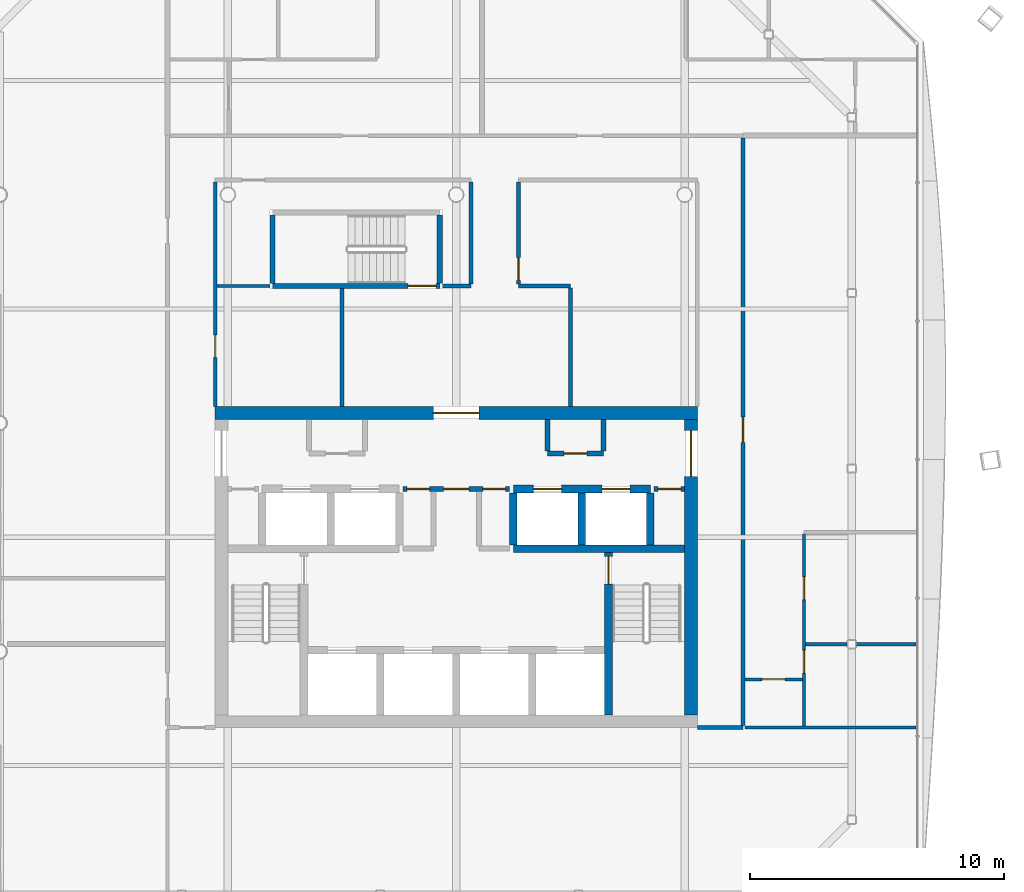
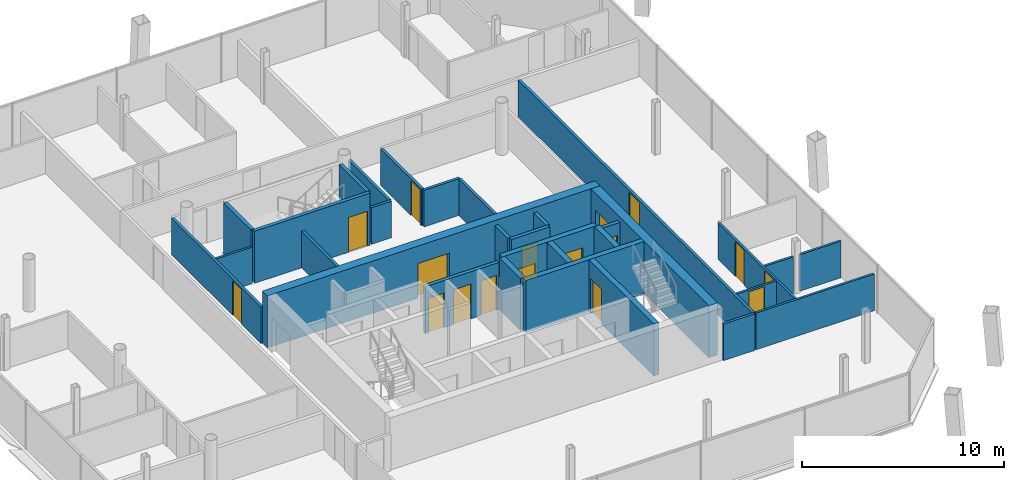
# One storey, part 15 of 20: 31 walls, 17 doors, 17 openings.
"""IFC4 building model written with IfcOpenShell, lengths in metres."""

from ifc_helpers import new_model, si_unit, direction, frame, frame_2d, origin, place, context, subcontext, project, spatial, rectangle, extrude, material, layer, layer_set, type_object, element, fill, save


model = new_model("IFC4")

# Units and contexts
model_context = context("Model", 3, precision=1e-05, world=origin(), true_north=direction((0.0, 1.0)))
body_context = subcontext(model_context, "Body", "Model", "MODEL_VIEW")
ifc_project = project(units=[si_unit("LENGTHUNIT", "METRE"), si_unit("AREAUNIT", "SQUARE_METRE"), si_unit("VOLUMEUNIT", "CUBIC_METRE"), si_unit("PLANEANGLEUNIT", "RADIAN"), si_unit("MASSUNIT", "GRAM", prefix="KILO")], contexts=[model_context])

# Site, building, storey
site_placement = place(None, origin())
site = spatial("IfcSite", under=ifc_project, at=site_placement, CompositionType="ELEMENT")
building_placement = place(site_placement, origin())
building = spatial("IfcBuilding", under=site, at=building_placement, Name="Tskaro Facet Tower", CompositionType="ELEMENT")
storey_placement = place(building_placement, frame((0.0, 0.0, 175.35009765625)))
storey = spatial("IfcBuildingStorey", under=building, at=storey_placement, Name="L43", CompositionType="ELEMENT", Elevation=175.35009765625)

# Wall
ifc_material_1 = material(Name="Concrete C60/75", Category="concrete")
ifc_layer_1 = layer(ifc_material_1, 0.300048828125, Name="Concrete C60/75")
ifc_layer_set_1 = layer_set([ifc_layer_1], Name="Concrete C60/75")
wall_type_1 = type_object("IfcWallType", Name="CORE-SHAFT", PredefinedType="SHEAR", material=ifc_layer_set_1)
wall_1_placement = place(storey_placement, frame((2.25, -4.949951171875, 0.0), z_axis=(0.0, 0.0, 1.0), x_axis=(1.0, 0.0, 0.0)))
element("IfcWall", 1, at=wall_1_placement, inside=storey, type_object=wall_type_1, Name="Shaft wall W019", PredefinedType="SHEAR", context=body_context, shape_type="SweptSolid", body=[
    extrude(rectangle(XDim=6.75, YDim=0.300048828125, at=frame_2d((3.375, 0.0))), origin(), (0.0, 0.0, 1.0), 3.14990234375),
])

# Wall, openings, doors
wall_2_placement = place(storey_placement, frame((2.25, -2.60009765625, 0.0), z_axis=(0.0, 0.0, 1.0), x_axis=(1.0, 0.0, 0.0)))
wall_2 = element("IfcWall", 2, at=wall_2_placement, inside=storey, type_object=wall_type_1, Name="Shaft wall W025", PredefinedType="SHEAR", context=body_context, shape_type="SweptSolid", body=[
    extrude(rectangle(XDim=5.39990234375, YDim=0.300048828125, at=frame_2d((2.699951171875, 0.0))), origin(), (0.0, 0.0, 1.0), 3.14990234375),
])
opening_1_placement = place(wall_2_placement, frame((0.800048828125, 0.0, 0.0)))
opening_1 = element("IfcOpeningElement", 3, at=opening_1_placement, cuts=wall_2, Name="Opening LD-HB3", PredefinedType="OPENING", context=body_context, shape_type="SweptSolid", body=[
    extrude(rectangle(XDim=1.10009765625, YDim=2.10009765625, at=frame_2d((0.550048828125, 1.050048828125))), frame((0.0, 0.159912109375, 0.0), z_axis=(0.0, -1.0, 0.0), x_axis=(1.0, 0.0, 0.0)), (0.0, 0.0, 1.0), 0.320068359375),
])
opening_2_placement = place(wall_2_placement, frame((3.5, 0.0, 0.0)))
opening_2 = element("IfcOpeningElement", 4, at=opening_2_placement, cuts=wall_2, Name="Opening LD-HB4", PredefinedType="OPENING", context=body_context, shape_type="SweptSolid", body=[
    extrude(rectangle(XDim=1.10009765625, YDim=2.10009765625, at=frame_2d((0.550048828125, 1.050048828125))), frame((0.0, 0.159912109375, 0.0), z_axis=(0.0, -1.0, 0.0), x_axis=(1.0, 0.0, 0.0)), (0.0, 0.0, 1.0), 0.320068359375),
])
ifc_material_2 = material(Name="Stainless steel", Category="steel")
door_type_1 = type_object("IfcDoorType", Name="D-LANDING", OperationType="NOTDEFINED", PredefinedType="DOOR", material=ifc_material_2)
door_1_placement = place(opening_1_placement, origin())
door_1 = element("IfcDoor", 5, at=door_1_placement, inside=storey, type_object=door_type_1, Name="Landing door HB3", OperationType="DOUBLE_DOOR_SLIDING", OverallHeight=2.10009765625, OverallWidth=1.10009765625, PredefinedType="DOOR", context=body_context, shape_type="SweptSolid", body=[
    extrude(rectangle(XDim=1.10009765625, YDim=2.10009765625, at=frame_2d((0.550048828125, 1.050048828125))), frame((0.0, 0.02490234375, 0.0), z_axis=(0.0, -1.0, 0.0), x_axis=(1.0, 0.0, 0.0)), (0.0, 0.0, 1.0), 0.050048828125),
])
fill(opening_1, door_1)
door_2_placement = place(opening_2_placement, origin())
door_2 = element("IfcDoor", 6, at=door_2_placement, inside=storey, type_object=door_type_1, Name="Landing door HB4", OperationType="DOUBLE_DOOR_SLIDING", OverallHeight=2.10009765625, OverallWidth=1.10009765625, PredefinedType="DOOR", context=body_context, shape_type="SweptSolid", body=[
    extrude(rectangle(XDim=1.10009765625, YDim=2.10009765625, at=frame_2d((0.550048828125, 1.050048828125))), frame((0.0, 0.02490234375, 0.0), z_axis=(0.0, -1.0, 0.0), x_axis=(1.0, 0.0, 0.0)), (0.0, 0.0, 1.0), 0.050048828125),
])
fill(opening_2, door_2)

# Walls
for number, where, z_axis, x_axis, name in (
    (7, (2.25, -4.800048828125, 0.0), (0.0, 0.0, 1.0), (0.0, 1.0, 0.0), "Shaft wall W074"),
    (8, (4.949951171875, -4.800048828125, 0.0), (0.0, 0.0, 1.0), (0.0, 1.0, 0.0), "Shaft wall W079"),
):
    element("IfcWall", number, at=place(storey_placement, frame(where, z_axis=z_axis, x_axis=x_axis)), inside=storey, type_object=wall_type_1, Name=name, PredefinedType="SHEAR", context=body_context, shape_type="SweptSolid", body=[
        extrude(rectangle(XDim=2.050048828125, YDim=0.300048828125, at=frame_2d((1.02490234375, 0.0))), origin(), (0.0, 0.0, 1.0), 3.14990234375),
    ])

# Wall, opening, door
wall_3_placement = place(storey_placement, frame((6.0, -5.10009765625, 0.0), z_axis=(0.0, 0.0, 1.0), x_axis=(0.0, -1.0, 0.0)))
wall_3 = element("IfcWall", 9, at=wall_3_placement, inside=storey, type_object=wall_type_1, Name="Shaft wall W081", PredefinedType="SHEAR", context=body_context, shape_type="SweptSolid", body=[
    extrude(rectangle(XDim=6.39990234375, YDim=0.300048828125, at=frame_2d((3.199951171875, 0.0))), origin(), (0.0, 0.0, 1.0), 3.14990234375),
])
opening_3_placement = place(wall_3_placement, frame((0.14990234375, 0.0, 0.0)))
opening_3 = element("IfcOpeningElement", 10, at=opening_3_placement, cuts=wall_3, Name="Opening ST-2-D1", PredefinedType="OPENING", context=body_context, shape_type="SweptSolid", body=[
    extrude(rectangle(XDim=1.10009765625, YDim=2.10009765625, at=frame_2d((0.550048828125, 1.050048828125))), frame((0.0, 0.159912109375, 0.0), z_axis=(0.0, -1.0, 0.0), x_axis=(1.0, 0.0, 0.0)), (0.0, 0.0, 1.0), 0.320068359375),
])
ifc_material_3 = material(Name="Steel", Category="steel")
door_type_2 = type_object("IfcDoorType", Name="D-STAIR", OperationType="NOTDEFINED", PredefinedType="DOOR", material=ifc_material_3)
door_3_placement = place(opening_3_placement, origin())
door_3 = element("IfcDoor", 11, at=door_3_placement, inside=storey, type_object=door_type_2, Name="Stair door 2", OperationType="SINGLE_SWING_RIGHT", OverallHeight=2.10009765625, OverallWidth=1.10009765625, PredefinedType="DOOR", context=body_context, shape_type="SweptSolid", body=[
    extrude(rectangle(XDim=1.10009765625, YDim=2.10009765625, at=frame_2d((0.550048828125, 1.050048828125))), frame((0.0, 0.02490234375, 0.0), z_axis=(0.0, -1.0, 0.0), x_axis=(1.0, 0.0, 0.0)), (0.0, 0.0, 1.0), 0.050048828125),
])
fill(opening_3, door_3)

# Wall
wall_4_placement = place(storey_placement, frame((7.64990234375, -4.800048828125, 0.0), z_axis=(0.0, 0.0, 1.0), x_axis=(0.0, 1.0, 0.0)))
element("IfcWall", 12, at=wall_4_placement, inside=storey, type_object=wall_type_1, Name="Shaft wall W082", PredefinedType="SHEAR", context=body_context, shape_type="SweptSolid", body=[
    extrude(rectangle(XDim=2.050048828125, YDim=0.300048828125, at=frame_2d((1.02490234375, 0.0))), origin(), (0.0, 0.0, 1.0), 3.14990234375),
])

# Wall, openings, doors
ifc_material_4 = material(Name="Concrete C20/25", Category="concrete")
ifc_layer_2 = layer(ifc_material_4, 0.199951171875, Name="Concrete C20/25")
ifc_layer_set_2 = layer_set([ifc_layer_2], Name="Concrete C20/25")
wall_type_2 = type_object("IfcWallType", Name="CORE-WALL", PredefinedType="SOLIDWALL", material=ifc_layer_set_2)
wall_5_placement = place(storey_placement, frame((2.10009765625, -2.60009765625, 0.0), z_axis=(0.0, 0.0, 1.0), x_axis=(-1.0, 0.0, 0.0)))
wall_5 = element("IfcWall", 13, at=wall_5_placement, inside=storey, type_object=wall_type_2, Name="Core room wall W024", PredefinedType="SOLIDWALL", context=body_context, shape_type="SweptSolid", body=[
    extrude(rectangle(XDim=4.2001953125, YDim=0.199951171875, at=frame_2d((2.10009765625, 0.0))), origin(), (0.0, 0.0, 1.0), 2.849853515625),
])
opening_4_placement = place(wall_5_placement, frame((1.60009765625, 0.0, 0.0)))
opening_4 = element("IfcOpeningElement", 14, at=opening_4_placement, cuts=wall_5, Name="Opening FL-D1", PredefinedType="OPENING", context=body_context, shape_type="SweptSolid", body=[
    extrude(rectangle(XDim=1.0, YDim=2.10009765625, at=frame_2d((0.5, 1.050048828125))), frame((0.0, 0.10986328125, 0.0), z_axis=(0.0, -1.0, 0.0), x_axis=(1.0, 0.0, 0.0)), (0.0, 0.0, 1.0), 0.219970703125),
])
opening_5_placement = place(wall_5_placement, frame((3.14990234375, 0.0, 0.0)))
opening_5 = element("IfcOpeningElement", 15, at=opening_5_placement, cuts=wall_5, Name="Opening T12-D13", PredefinedType="OPENING", context=body_context, shape_type="SweptSolid", body=[
    extrude(rectangle(XDim=0.89990234375, YDim=2.10009765625, at=frame_2d((0.449951171875, 1.050048828125))), frame((0.0, 0.10986328125, 0.0), z_axis=(0.0, -1.0, 0.0), x_axis=(1.0, 0.0, 0.0)), (0.0, 0.0, 1.0), 0.219970703125),
])
opening_6_placement = place(wall_5_placement, frame((0.14990234375, 0.0, 0.0)))
opening_6 = element("IfcOpeningElement", 16, at=opening_6_placement, cuts=wall_5, Name="Opening T12-D14", PredefinedType="OPENING", context=body_context, shape_type="SweptSolid", body=[
    extrude(rectangle(XDim=0.89990234375, YDim=2.10009765625, at=frame_2d((0.449951171875, 1.050048828125))), frame((0.0, 0.10986328125, 0.0), z_axis=(0.0, -1.0, 0.0), x_axis=(1.0, 0.0, 0.0)), (0.0, 0.0, 1.0), 0.219970703125),
])
door_type_3 = type_object("IfcDoorType", Name="D-LOBBY", OperationType="NOTDEFINED", PredefinedType="DOOR", material=ifc_material_3)
door_4_placement = place(opening_4_placement, origin())
door_4 = element("IfcDoor", 17, at=door_4_placement, inside=storey, type_object=door_type_3, Name="Lobby door FL", OperationType="SINGLE_SWING_RIGHT", OverallHeight=2.10009765625, OverallWidth=1.0, PredefinedType="DOOR", context=body_context, shape_type="SweptSolid", body=[
    extrude(rectangle(XDim=1.0, YDim=2.10009765625, at=frame_2d((0.5, 1.050048828125))), frame((0.0, 0.02490234375, 0.0), z_axis=(0.0, -1.0, 0.0), x_axis=(1.0, 0.0, 0.0)), (0.0, 0.0, 1.0), 0.050048828125),
])
fill(opening_4, door_4)
ifc_material_5 = material(Name="Timber", Category="wood")
door_type_4 = type_object("IfcDoorType", Name="D-ROOM", OperationType="NOTDEFINED", PredefinedType="DOOR", material=ifc_material_5)
door_5_placement = place(opening_5_placement, origin())
door_5 = element("IfcDoor", 18, at=door_5_placement, inside=storey, type_object=door_type_4, Name="Door T12-D13", OperationType="SINGLE_SWING_RIGHT", OverallHeight=2.10009765625, OverallWidth=0.89990234375, PredefinedType="DOOR", context=body_context, shape_type="SweptSolid", body=[
    extrude(rectangle(XDim=0.89990234375, YDim=2.10009765625, at=frame_2d((0.449951171875, 1.050048828125))), frame((0.0, 0.02490234375, 0.0), z_axis=(0.0, -1.0, 0.0), x_axis=(1.0, 0.0, 0.0)), (0.0, 0.0, 1.0), 0.050048828125),
])
fill(opening_5, door_5)
door_6_placement = place(opening_6_placement, origin())
door_6 = element("IfcDoor", 19, at=door_6_placement, inside=storey, type_object=door_type_4, Name="Door T12-D14", OperationType="SINGLE_SWING_RIGHT", OverallHeight=2.10009765625, OverallWidth=0.89990234375, PredefinedType="DOOR", context=body_context, shape_type="SweptSolid", body=[
    extrude(rectangle(XDim=0.89990234375, YDim=2.10009765625, at=frame_2d((0.449951171875, 1.050048828125))), frame((0.0, 0.02490234375, 0.0), z_axis=(0.0, -1.0, 0.0), x_axis=(1.0, 0.0, 0.0)), (0.0, 0.0, 1.0), 0.050048828125),
])
fill(opening_6, door_6)

# Wall, opening, door
wall_6_placement = place(storey_placement, frame((9.0, -2.60009765625, 0.0), z_axis=(0.0, 0.0, 1.0), x_axis=(-1.0, 0.0, 0.0)))
wall_6 = element("IfcWall", 20, at=wall_6_placement, inside=storey, type_object=wall_type_2, Name="Core room wall W026", PredefinedType="SOLIDWALL", context=body_context, shape_type="SweptSolid", body=[
    extrude(rectangle(XDim=1.199951171875, YDim=0.199951171875, at=frame_2d((0.60009765625, 0.0))), origin(), (0.0, 0.0, 1.0), 2.849853515625),
])
opening_7_placement = place(wall_6_placement, frame((0.14990234375, 0.0, 0.0)))
opening_7 = element("IfcOpeningElement", 21, at=opening_7_placement, cuts=wall_6, Name="Opening T12-D15", PredefinedType="OPENING", context=body_context, shape_type="SweptSolid", body=[
    extrude(rectangle(XDim=0.89990234375, YDim=2.10009765625, at=frame_2d((0.449951171875, 1.050048828125))), frame((0.0, 0.10986328125, 0.0), z_axis=(0.0, -1.0, 0.0), x_axis=(1.0, 0.0, 0.0)), (0.0, 0.0, 1.0), 0.219970703125),
])
door_7_placement = place(opening_7_placement, origin())
door_7 = element("IfcDoor", 22, at=door_7_placement, inside=storey, type_object=door_type_4, Name="Door T12-D15", OperationType="SINGLE_SWING_RIGHT", OverallHeight=2.10009765625, OverallWidth=0.89990234375, PredefinedType="DOOR", context=body_context, shape_type="SweptSolid", body=[
    extrude(rectangle(XDim=0.89990234375, YDim=2.10009765625, at=frame_2d((0.449951171875, 1.050048828125))), frame((0.0, 0.02490234375, 0.0), z_axis=(0.0, -1.0, 0.0), x_axis=(1.0, 0.0, 0.0)), (0.0, 0.0, 1.0), 0.050048828125),
])
fill(opening_7, door_7)

wall_7_placement = place(storey_placement, frame((3.60009765625, -1.199951171875, 0.0), z_axis=(0.0, 0.0, 1.0), x_axis=(1.0, 0.0, 0.0)))
wall_7 = element("IfcWall", 23, at=wall_7_placement, inside=storey, type_object=wall_type_2, Name="Core room wall W030", PredefinedType="SOLIDWALL", context=body_context, shape_type="SweptSolid", body=[
    extrude(rectangle(XDim=2.199951171875, YDim=0.199951171875, at=frame_2d((1.10009765625, 0.0))), origin(), (0.0, 0.0, 1.0), 2.849853515625),
])
opening_8_placement = place(wall_7_placement, frame((0.64990234375, 0.0, 0.0)))
opening_8 = element("IfcOpeningElement", 24, at=opening_8_placement, cuts=wall_7, Name="Opening T12-D18", PredefinedType="OPENING", context=body_context, shape_type="SweptSolid", body=[
    extrude(rectangle(XDim=0.89990234375, YDim=2.10009765625, at=frame_2d((0.449951171875, 1.050048828125))), frame((0.0, 0.10986328125, 0.0), z_axis=(0.0, -1.0, 0.0), x_axis=(1.0, 0.0, 0.0)), (0.0, 0.0, 1.0), 0.219970703125),
])
door_8_placement = place(opening_8_placement, origin())
door_8 = element("IfcDoor", 25, at=door_8_placement, inside=storey, type_object=door_type_4, Name="Door T12-D18", OperationType="SINGLE_SWING_LEFT", OverallHeight=2.10009765625, OverallWidth=0.89990234375, PredefinedType="DOOR", context=body_context, shape_type="SweptSolid", body=[
    extrude(rectangle(XDim=0.89990234375, YDim=2.10009765625, at=frame_2d((0.449951171875, 1.050048828125))), frame((0.0, 0.02490234375, 0.0), z_axis=(0.0, -1.0, 0.0), x_axis=(1.0, 0.0, 0.0)), (0.0, 0.0, 1.0), 0.050048828125),
])
fill(opening_8, door_8)

# Walls
for number, where, z_axis, x_axis, name in (
    (26, (3.60009765625, -1.10009765625, 0.0), (0.0, 0.0, 1.0), (0.0, 1.0, 0.0), "Core room wall W077"),
    (27, (5.800048828125, -1.10009765625, 0.0), (0.0, 0.0, 1.0), (0.0, 1.0, 0.0), "Core room wall W080"),
):
    element("IfcWall", number, at=place(storey_placement, frame(where, z_axis=z_axis, x_axis=x_axis)), inside=storey, type_object=wall_type_2, Name=name, PredefinedType="SOLIDWALL", context=body_context, shape_type="SweptSolid", body=[
        extrude(rectangle(XDim=1.25, YDim=0.199951171875, at=frame_2d((0.625, 0.0))), origin(), (0.0, 0.0, 1.0), 2.849853515625),
    ])

# Wall, opening, door
ifc_material_6 = material(Name="Concrete C40/50", Category="concrete")
ifc_layer_3 = layer(ifc_material_6, 0.5, Name="Concrete C40/50")
ifc_layer_set_3 = layer_set([ifc_layer_3], Name="Concrete C40/50")
wall_type_3 = type_object("IfcWallType", Name="Core wall 500", PredefinedType="SHEAR", material=ifc_layer_set_3)
wall_8_placement = place(storey_placement, frame((-9.5, 0.39990234375, 0.0), z_axis=(0.0, 0.0, 1.0), x_axis=(1.0, 0.0, 0.0)))
wall_8 = element("IfcWall", 28, at=wall_8_placement, inside=storey, type_object=wall_type_3, Name="Core wall CW-Z3N", PredefinedType="SHEAR", context=body_context, shape_type="SweptSolid", body=[
    extrude(rectangle(XDim=19.0, YDim=0.5, at=frame_2d((9.5, 0.0))), origin(), (0.0, 0.0, 1.0), 3.14990234375),
])
opening_9_placement = place(wall_8_placement, frame((8.60009765625, 0.0, 0.0)))
opening_9 = element("IfcOpeningElement", 29, at=opening_9_placement, cuts=wall_8, Name="Opening T12-D21", PredefinedType="OPENING", context=body_context, shape_type="SweptSolid", body=[
    extrude(rectangle(XDim=1.800048828125, YDim=2.10009765625, at=frame_2d((0.89990234375, 1.050048828125))), frame((0.0, 0.260009765625, 0.0), z_axis=(0.0, -1.0, 0.0), x_axis=(1.0, 0.0, 0.0)), (0.0, 0.0, 1.0), 0.52001953125),
])
door_type_5 = type_object("IfcDoorType", Name="D-CORE-PAIR", OperationType="NOTDEFINED", PredefinedType="DOOR", material=ifc_material_3)
door_9_placement = place(opening_9_placement, origin())
door_9 = element("IfcDoor", 30, at=door_9_placement, inside=storey, type_object=door_type_5, Name="Door T12-D21", OperationType="DOUBLE_DOOR_SINGLE_SWING", OverallHeight=2.10009765625, OverallWidth=1.800048828125, PredefinedType="DOOR", context=body_context, shape_type="SweptSolid", body=[
    extrude(rectangle(XDim=1.800048828125, YDim=2.10009765625, at=frame_2d((0.89990234375, 1.050048828125))), frame((0.0, 0.02490234375, 0.0), z_axis=(0.0, -1.0, 0.0), x_axis=(1.0, 0.0, 0.0)), (0.0, 0.0, 1.0), 0.050048828125),
])
fill(opening_9, door_9)

wall_9_placement = place(storey_placement, frame((9.25, -11.5, 0.0), z_axis=(0.0, 0.0, 1.0), x_axis=(0.0, 1.0, 0.0)))
wall_9 = element("IfcWall", 31, at=wall_9_placement, inside=storey, type_object=wall_type_3, Name="Core wall CW-Z3E", PredefinedType="SHEAR", context=body_context, shape_type="SweptSolid", body=[
    extrude(rectangle(XDim=11.64990234375, YDim=0.5, at=frame_2d((5.824951171875, 0.0))), origin(), (0.0, 0.0, 1.0), 3.14990234375),
])
opening_10_placement = place(wall_9_placement, frame((9.39990234375, 0.0, 0.0)))
opening_10 = element("IfcOpeningElement", 32, at=opening_10_placement, cuts=wall_9, Name="Opening T12-D19", PredefinedType="OPENING", context=body_context, shape_type="SweptSolid", body=[
    extrude(rectangle(XDim=1.800048828125, YDim=2.10009765625, at=frame_2d((0.89990234375, 1.050048828125))), frame((0.0, 0.260009765625, 0.0), z_axis=(0.0, -1.0, 0.0), x_axis=(1.0, 0.0, 0.0)), (0.0, 0.0, 1.0), 0.52001953125),
])
door_10_placement = place(opening_10_placement, origin())
door_10 = element("IfcDoor", 33, at=door_10_placement, inside=storey, type_object=door_type_5, Name="Door T12-D19", OperationType="DOUBLE_DOOR_SINGLE_SWING", OverallHeight=2.10009765625, OverallWidth=1.800048828125, PredefinedType="DOOR", context=body_context, shape_type="SweptSolid", body=[
    extrude(rectangle(XDim=1.800048828125, YDim=2.10009765625, at=frame_2d((0.89990234375, 1.050048828125))), frame((0.0, 0.02490234375, 0.0), z_axis=(0.0, -1.0, 0.0), x_axis=(1.0, 0.0, 0.0)), (0.0, 0.0, 1.0), 0.050048828125),
])
fill(opening_10, door_10)

# Wall
ifc_material_7 = material(Name="Gypsum board on steel studs", Category="steel")
ifc_layer_4 = layer(ifc_material_7, 0.125, Name="Gypsum board on steel studs")
ifc_layer_set_4 = layer_set([ifc_layer_4], Name="Gypsum board on steel studs")
wall_type_4 = type_object("IfcWallType", Name="PART", PredefinedType="PARTITIONING", material=ifc_layer_set_4)
wall_10_placement = place(storey_placement, frame((11.375, -12.0, 0.0), z_axis=(0.0, 0.0, 1.0), x_axis=(1.0, 0.0, 0.0)))
element("IfcWall", 34, at=wall_10_placement, inside=storey, type_object=wall_type_4, Name="Partition W007", PredefinedType="PARTITIONING", context=body_context, shape_type="SweptSolid", body=[
    extrude(rectangle(XDim=6.75, YDim=0.125, at=frame_2d((3.375, 0.0))), origin(), (0.0, 0.0, 1.0), 2.2099609375),
])

# Wall, opening, door
wall_11_placement = place(storey_placement, frame((13.637451171875, -10.10009765625, 0.0), z_axis=(0.0, 0.0, 1.0), x_axis=(-1.0, 0.0, 0.0)))
wall_11 = element("IfcWall", 35, at=wall_11_placement, inside=storey, type_object=wall_type_4, Name="Partition W008", PredefinedType="PARTITIONING", context=body_context, shape_type="SweptSolid", body=[
    extrude(rectangle(XDim=2.262451171875, YDim=0.125, at=frame_2d((1.13134765625, 0.0))), origin(), (0.0, 0.0, 1.0), 2.2099609375),
])
opening_11_placement = place(wall_11_placement, frame((0.6875, 0.0, 0.0)))
opening_11 = element("IfcOpeningElement", 36, at=opening_11_placement, cuts=wall_11, Name="Opening T12-D06", PredefinedType="OPENING", context=body_context, shape_type="SweptSolid", body=[
    extrude(rectangle(XDim=0.89990234375, YDim=2.10009765625, at=frame_2d((0.449951171875, 1.050048828125))), frame((0.0, 0.072509765625, 0.0), z_axis=(0.0, -1.0, 0.0), x_axis=(1.0, 0.0, 0.0)), (0.0, 0.0, 1.0), 0.14501953125),
])
door_11_placement = place(opening_11_placement, origin())
door_11 = element("IfcDoor", 37, at=door_11_placement, inside=storey, type_object=door_type_4, Name="Door T12-D06", OperationType="SINGLE_SWING_RIGHT", OverallHeight=2.10009765625, OverallWidth=0.89990234375, PredefinedType="DOOR", context=body_context, shape_type="SweptSolid", body=[
    extrude(rectangle(XDim=0.89990234375, YDim=2.10009765625, at=frame_2d((0.449951171875, 1.050048828125))), frame((0.0, 0.02490234375, 0.0), z_axis=(0.0, -1.0, 0.0), x_axis=(1.0, 0.0, 0.0)), (0.0, 0.0, 1.0), 0.050048828125),
])
fill(opening_11, door_11)

# Walls
wall_12_placement = place(storey_placement, frame((13.762451171875, -8.715087890625, 0.0), z_axis=(0.0, 0.0, 1.0), x_axis=(1.0, 0.0, 0.0)))
element("IfcWall", 38, at=wall_12_placement, inside=storey, type_object=wall_type_4, Name="Partition W013", PredefinedType="PARTITIONING", context=body_context, shape_type="SweptSolid", body=[
    extrude(rectangle(XDim=1.6455078125, YDim=0.125, at=frame_2d((0.82275390625, 0.0))), origin(), (0.0, 0.0, 1.0), 2.2099609375),
])
wall_13_placement = place(storey_placement, frame((15.758056640625, -8.715087890625, 0.0), z_axis=(0.0, 0.0, 1.0), x_axis=(1.0, 0.0, 0.0)))
element("IfcWall", 39, at=wall_13_placement, inside=storey, type_object=wall_type_4, Name="Partition W014", PredefinedType="PARTITIONING", context=body_context, shape_type="SweptSolid", body=[
    extrude(rectangle(XDim=2.366943359375, YDim=0.125, at=frame_2d((1.18359375, 0.0))), origin(), (0.0, 0.0, 1.0), 2.2099609375),
])
wall_14_placement = place(storey_placement, frame((-9.425048828125, 5.39990234375, 0.0), z_axis=(0.0, 0.0, 1.0), x_axis=(1.0, 0.0, 0.0)))
element("IfcWall", 40, at=wall_14_placement, inside=storey, type_object=wall_type_4, Name="Partition W033", PredefinedType="PARTITIONING", context=body_context, shape_type="SweptSolid", body=[
    extrude(rectangle(XDim=2.074951171875, YDim=0.125, at=frame_2d((1.03759765625, 0.0))), origin(), (0.0, 0.0, 1.0), 2.2099609375),
])

# Wall, openings, doors
wall_15_placement = place(storey_placement, frame((13.699951171875, -4.362548828125, 0.0), z_axis=(0.0, 0.0, 1.0), x_axis=(0.0, -1.0, 0.0)))
wall_15 = element("IfcWall", 41, at=wall_15_placement, inside=storey, type_object=wall_type_4, Name="Partition W089", PredefinedType="PARTITIONING", context=body_context, shape_type="SweptSolid", body=[
    extrude(rectangle(XDim=7.574951171875, YDim=0.125, at=frame_2d((3.78759765625, 0.0))), origin(), (0.0, 0.0, 1.0), 2.2099609375),
])
opening_12_placement = place(wall_15_placement, frame((4.594970703125, 0.0, 0.0)))
opening_12 = element("IfcOpeningElement", 42, at=opening_12_placement, cuts=wall_15, Name="Opening T12-D07", PredefinedType="OPENING", context=body_context, shape_type="SweptSolid", body=[
    extrude(rectangle(XDim=0.89990234375, YDim=2.10009765625, at=frame_2d((0.449951171875, 1.050048828125))), frame((0.0, 0.072509765625, 0.0), z_axis=(0.0, -1.0, 0.0), x_axis=(1.0, 0.0, 0.0)), (0.0, 0.0, 1.0), 0.14501953125),
])
opening_13_placement = place(wall_15_placement, frame((1.695068359375, 0.0, 0.0)))
opening_13 = element("IfcOpeningElement", 43, at=opening_13_placement, cuts=wall_15, Name="Opening T12-D09", PredefinedType="OPENING", context=body_context, shape_type="SweptSolid", body=[
    extrude(rectangle(XDim=0.89990234375, YDim=2.10009765625, at=frame_2d((0.449951171875, 1.050048828125))), frame((0.0, 0.072509765625, 0.0), z_axis=(0.0, -1.0, 0.0), x_axis=(1.0, 0.0, 0.0)), (0.0, 0.0, 1.0), 0.14501953125),
])
door_12_placement = place(opening_12_placement, origin())
door_12 = element("IfcDoor", 44, at=door_12_placement, inside=storey, type_object=door_type_4, Name="Door T12-D07", OperationType="SINGLE_SWING_LEFT", OverallHeight=2.10009765625, OverallWidth=0.89990234375, PredefinedType="DOOR", context=body_context, shape_type="SweptSolid", body=[
    extrude(rectangle(XDim=0.89990234375, YDim=2.10009765625, at=frame_2d((0.449951171875, 1.050048828125))), frame((0.0, 0.02490234375, 0.0), z_axis=(0.0, -1.0, 0.0), x_axis=(1.0, 0.0, 0.0)), (0.0, 0.0, 1.0), 0.050048828125),
])
fill(opening_12, door_12)
door_13_placement = place(opening_13_placement, origin())
door_13 = element("IfcDoor", 45, at=door_13_placement, inside=storey, type_object=door_type_4, Name="Door T12-D09", OperationType="SINGLE_SWING_RIGHT", OverallHeight=2.10009765625, OverallWidth=0.89990234375, PredefinedType="DOOR", context=body_context, shape_type="SweptSolid", body=[
    extrude(rectangle(XDim=0.89990234375, YDim=2.10009765625, at=frame_2d((0.449951171875, 1.050048828125))), frame((0.0, 0.02490234375, 0.0), z_axis=(0.0, -1.0, 0.0), x_axis=(1.0, 0.0, 0.0)), (0.0, 0.0, 1.0), 0.050048828125),
])
fill(opening_13, door_13)

# Walls
ifc_layer_5 = layer(ifc_material_7, 0.14990234375, Name="Gypsum board on steel studs")
ifc_layer_set_5 = layer_set([ifc_layer_5], Name="Gypsum board on steel studs")
wall_type_5 = type_object("IfcWallType", Name="PART-CORR", PredefinedType="PARTITIONING", material=ifc_layer_set_5)
wall_16_placement = place(storey_placement, frame((9.5, -12.0, 0.0), z_axis=(0.0, 0.0, 1.0), x_axis=(1.0, 0.0, 0.0)))
element("IfcWall", 46, at=wall_16_placement, inside=storey, type_object=wall_type_5, Name="Corridor wall W006", PredefinedType="PARTITIONING", context=body_context, shape_type="SweptSolid", body=[
    extrude(rectangle(XDim=1.800048828125, YDim=0.14990234375, at=frame_2d((0.89990234375, 0.0))), origin(), (0.0, 0.0, 1.0), 2.2099609375),
])
wall_17_placement = place(storey_placement, frame((-0.550048828125, 5.39990234375, 0.0), z_axis=(0.0, 0.0, 1.0), x_axis=(1.0, 0.0, 0.0)))
element("IfcWall", 47, at=wall_17_placement, inside=storey, type_object=wall_type_5, Name="Corridor wall W035", PredefinedType="PARTITIONING", context=body_context, shape_type="SweptSolid", body=[
    extrude(rectangle(XDim=1.125, YDim=0.14990234375, at=frame_2d((0.5625, 0.0))), origin(), (0.0, 0.0, 1.0), 2.2099609375),
])
wall_18_placement = place(storey_placement, frame((2.449951171875, 5.39990234375, 0.0), z_axis=(0.0, 0.0, 1.0), x_axis=(1.0, 0.0, 0.0)))
element("IfcWall", 48, at=wall_18_placement, inside=storey, type_object=wall_type_5, Name="Corridor wall W036", PredefinedType="PARTITIONING", context=body_context, shape_type="SweptSolid", body=[
    extrude(rectangle(XDim=2.050048828125, YDim=0.14990234375, at=frame_2d((1.02490234375, 0.0))), origin(), (0.0, 0.0, 1.0), 2.2099609375),
])

# Wall, opening, door
wall_19_placement = place(storey_placement, frame((-9.5, 9.5, 0.0), z_axis=(0.0, 0.0, 1.0), x_axis=(0.0, -1.0, 0.0)))
wall_19 = element("IfcWall", 49, at=wall_19_placement, inside=storey, type_object=wall_type_5, Name="Corridor wall W053", PredefinedType="PARTITIONING", context=body_context, shape_type="SweptSolid", body=[
    extrude(rectangle(XDim=8.85009765625, YDim=0.14990234375, at=frame_2d((4.425048828125, 0.0))), origin(), (0.0, 0.0, 1.0), 2.2099609375),
])
opening_14_placement = place(wall_19_placement, frame((6.02490234375, 0.0, 0.0)))
opening_14 = element("IfcOpeningElement", 50, at=opening_14_placement, cuts=wall_19, Name="Opening T12-D22", PredefinedType="OPENING", context=body_context, shape_type="SweptSolid", body=[
    extrude(rectangle(XDim=0.89990234375, YDim=2.10009765625, at=frame_2d((0.449951171875, 1.050048828125))), frame((0.0, 0.0849609375, 0.0), z_axis=(0.0, -1.0, 0.0), x_axis=(1.0, 0.0, 0.0)), (0.0, 0.0, 1.0), 0.169921875),
])
door_14_placement = place(opening_14_placement, origin())
door_14 = element("IfcDoor", 51, at=door_14_placement, inside=storey, type_object=door_type_4, Name="Door T12-D22", OperationType="SINGLE_SWING_RIGHT", OverallHeight=2.10009765625, OverallWidth=0.89990234375, PredefinedType="DOOR", context=body_context, shape_type="SweptSolid", body=[
    extrude(rectangle(XDim=0.89990234375, YDim=2.10009765625, at=frame_2d((0.449951171875, 1.050048828125))), frame((0.0, 0.02490234375, 0.0), z_axis=(0.0, -1.0, 0.0), x_axis=(1.0, 0.0, 0.0)), (0.0, 0.0, 1.0), 0.050048828125),
])
fill(opening_14, door_14)

# Walls
wall_20_placement = place(storey_placement, frame((-4.5, 0.64990234375, 0.0), z_axis=(0.0, 0.0, 1.0), x_axis=(0.0, 1.0, 0.0)))
element("IfcWall", 52, at=wall_20_placement, inside=storey, type_object=wall_type_5, Name="Corridor wall W062", PredefinedType="PARTITIONING", context=body_context, shape_type="SweptSolid", body=[
    extrude(rectangle(XDim=4.650146484375, YDim=0.14990234375, at=frame_2d((2.3251953125, 0.0))), origin(), (0.0, 0.0, 1.0), 2.2099609375),
])
wall_21_placement = place(storey_placement, frame((0.574951171875, 5.47509765625, 0.0), z_axis=(0.0, 0.0, 1.0), x_axis=(0.0, 1.0, 0.0)))
element("IfcWall", 53, at=wall_21_placement, inside=storey, type_object=wall_type_5, Name="Corridor wall W070", PredefinedType="PARTITIONING", context=body_context, shape_type="SweptSolid", body=[
    extrude(rectangle(XDim=4.02490234375, YDim=0.14990234375, at=frame_2d((2.012451171875, 0.0))), origin(), (0.0, 0.0, 1.0), 2.2099609375),
])

# Wall, opening, door
wall_22_placement = place(storey_placement, frame((2.449951171875, 9.5, 0.0), z_axis=(0.0, 0.0, 1.0), x_axis=(0.0, -1.0, 0.0)))
wall_22 = element("IfcWall", 54, at=wall_22_placement, inside=storey, type_object=wall_type_5, Name="Corridor wall W075", PredefinedType="PARTITIONING", context=body_context, shape_type="SweptSolid", body=[
    extrude(rectangle(XDim=4.02490234375, YDim=0.14990234375, at=frame_2d((2.012451171875, 0.0))), origin(), (0.0, 0.0, 1.0), 2.2099609375),
])
opening_15_placement = place(wall_22_placement, frame((2.97509765625, 0.0, 0.0)))
opening_15 = element("IfcOpeningElement", 55, at=opening_15_placement, cuts=wall_22, Name="Opening T12-D24", PredefinedType="OPENING", context=body_context, shape_type="SweptSolid", body=[
    extrude(rectangle(XDim=0.89990234375, YDim=2.10009765625, at=frame_2d((0.449951171875, 1.050048828125))), frame((0.0, 0.0849609375, 0.0), z_axis=(0.0, -1.0, 0.0), x_axis=(1.0, 0.0, 0.0)), (0.0, 0.0, 1.0), 0.169921875),
])
door_15_placement = place(opening_15_placement, origin())
door_15 = element("IfcDoor", 56, at=door_15_placement, inside=storey, type_object=door_type_4, Name="Door T12-D24", OperationType="SINGLE_SWING_RIGHT", OverallHeight=2.10009765625, OverallWidth=0.89990234375, PredefinedType="DOOR", context=body_context, shape_type="SweptSolid", body=[
    extrude(rectangle(XDim=0.89990234375, YDim=2.10009765625, at=frame_2d((0.449951171875, 1.050048828125))), frame((0.0, 0.02490234375, 0.0), z_axis=(0.0, -1.0, 0.0), x_axis=(1.0, 0.0, 0.0)), (0.0, 0.0, 1.0), 0.050048828125),
])
fill(opening_15, door_15)

# Wall
wall_23_placement = place(storey_placement, frame((4.5, 0.64990234375, 0.0), z_axis=(0.0, 0.0, 1.0), x_axis=(0.0, 1.0, 0.0)))
element("IfcWall", 57, at=wall_23_placement, inside=storey, type_object=wall_type_5, Name="Corridor wall W078", PredefinedType="PARTITIONING", context=body_context, shape_type="SweptSolid", body=[
    extrude(rectangle(XDim=4.675048828125, YDim=0.14990234375, at=frame_2d((2.33740234375, 0.0))), origin(), (0.0, 0.0, 1.0), 2.2099609375),
])

# Wall, opening, door
wall_24_placement = place(storey_placement, frame((11.300048828125, 11.22509765625, 0.0), z_axis=(0.0, 0.0, 1.0), x_axis=(0.0, -1.0, 0.0)))
wall_24 = element("IfcWall", 58, at=wall_24_placement, inside=storey, type_object=wall_type_5, Name="Corridor wall W086", PredefinedType="PARTITIONING", context=body_context, shape_type="SweptSolid", body=[
    extrude(rectangle(XDim=23.150146484375, YDim=0.14990234375, at=frame_2d((11.5751953125, 0.0))), origin(), (0.0, 0.0, 1.0), 2.2099609375),
])
opening_16_placement = place(wall_24_placement, frame((10.987548828125, 0.0, 0.0)))
opening_16 = element("IfcOpeningElement", 59, at=opening_16_placement, cuts=wall_24, Name="Opening T12-D20", PredefinedType="OPENING", context=body_context, shape_type="SweptSolid", body=[
    extrude(rectangle(XDim=1.0, YDim=2.10009765625, at=frame_2d((0.5, 1.050048828125))), frame((0.0, 0.0849609375, 0.0), z_axis=(0.0, -1.0, 0.0), x_axis=(1.0, 0.0, 0.0)), (0.0, 0.0, 1.0), 0.169921875),
])
door_type_6 = type_object("IfcDoorType", Name="D-FLAT-ENTRY", OperationType="NOTDEFINED", PredefinedType="DOOR", material=ifc_material_5)
door_16_placement = place(opening_16_placement, origin())
door_16 = element("IfcDoor", 60, at=door_16_placement, inside=storey, type_object=door_type_6, Name="Door T12-D20", OperationType="SINGLE_SWING_RIGHT", OverallHeight=2.10009765625, OverallWidth=1.0, PredefinedType="DOOR", context=body_context, shape_type="SweptSolid", body=[
    extrude(rectangle(XDim=1.0, YDim=2.10009765625, at=frame_2d((0.5, 1.050048828125))), frame((0.0, 0.02490234375, 0.0), z_axis=(0.0, -1.0, 0.0), x_axis=(1.0, 0.0, 0.0)), (0.0, 0.0, 1.0), 0.050048828125),
])
fill(opening_16, door_16)

ifc_layer_6 = layer(ifc_material_1, 0.199951171875, Name="Concrete C60/75")
ifc_layer_set_6 = layer_set([ifc_layer_6], Name="Concrete C60/75")
wall_type_6 = type_object("IfcWallType", Name="STAIR-WALL", PredefinedType="SHEAR", material=ifc_layer_set_6)
wall_25_placement = place(storey_placement, frame((-7.25, 5.39990234375, 0.0), z_axis=(0.0, 0.0, 1.0), x_axis=(1.0, 0.0, 0.0)))
wall_25 = element("IfcWall", 61, at=wall_25_placement, inside=storey, type_object=wall_type_6, Name="Stair wall W034", PredefinedType="SHEAR", context=body_context, shape_type="SweptSolid", body=[
    extrude(rectangle(XDim=6.60009765625, YDim=0.199951171875, at=frame_2d((3.300048828125, 0.0))), origin(), (0.0, 0.0, 1.0), 3.14990234375),
])
opening_17_placement = place(wall_25_placement, frame((5.35009765625, 0.0, 0.0)))
opening_17 = element("IfcOpeningElement", 62, at=opening_17_placement, cuts=wall_25, Name="Opening ST-3-D1", PredefinedType="OPENING", context=body_context, shape_type="SweptSolid", body=[
    extrude(rectangle(XDim=1.10009765625, YDim=2.10009765625, at=frame_2d((0.550048828125, 1.050048828125))), frame((0.0, 0.10986328125, 0.0), z_axis=(0.0, -1.0, 0.0), x_axis=(1.0, 0.0, 0.0)), (0.0, 0.0, 1.0), 0.219970703125),
])
door_17_placement = place(opening_17_placement, origin())
door_17 = element("IfcDoor", 63, at=door_17_placement, inside=storey, type_object=door_type_2, Name="Stair door 3", OperationType="SINGLE_SWING_LEFT", OverallHeight=2.10009765625, OverallWidth=1.10009765625, PredefinedType="DOOR", context=body_context, shape_type="SweptSolid", body=[
    extrude(rectangle(XDim=1.10009765625, YDim=2.10009765625, at=frame_2d((0.550048828125, 1.050048828125))), frame((0.0, 0.02490234375, 0.0), z_axis=(0.0, -1.0, 0.0), x_axis=(1.0, 0.0, 0.0)), (0.0, 0.0, 1.0), 0.050048828125),
])
fill(opening_17, door_17)

# Walls
for number, where, z_axis, x_axis, name in (
    (64, (-7.25, 5.5, 0.0), (0.0, 0.0, 1.0), (0.0, 1.0, 0.0), "Stair wall W056"),
    (65, (-0.64990234375, 5.5, 0.0), (0.0, 0.0, 1.0), (0.0, 1.0, 0.0), "Stair wall W068"),
):
    element("IfcWall", number, at=place(storey_placement, frame(where, z_axis=z_axis, x_axis=x_axis)), inside=storey, type_object=wall_type_6, Name=name, PredefinedType="SHEAR", context=body_context, shape_type="SweptSolid", body=[
        extrude(rectangle(XDim=2.699951171875, YDim=0.199951171875, at=frame_2d((1.35009765625, 0.0))), origin(), (0.0, 0.0, 1.0), 3.14990234375),
    ])

save(model, "model.ifc")
